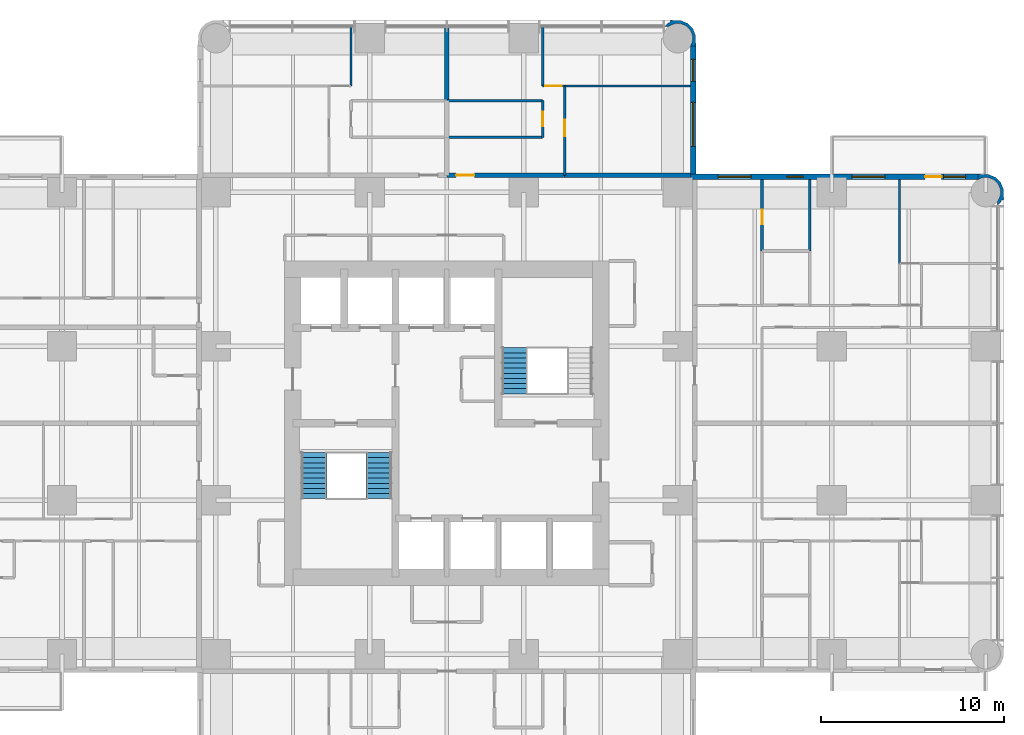
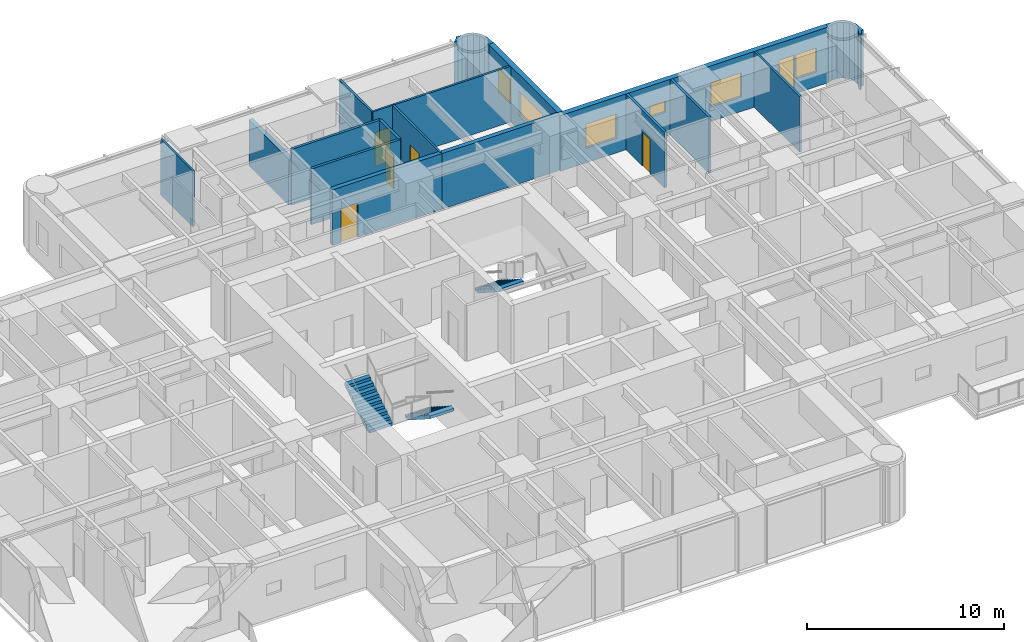
# One storey, part 12 of 15: 18 walls, 6 doors, 6 windows, 3 stair flights, 12 openings, 2 elements without a shape of their own.
"""IFC4 building model written with IfcOpenShell, lengths in metres."""

from ifc_helpers import new_model, si_unit, direction, frame, frame_2d, origin, place, context, subcontext, project, spatial, polyline, rectangle, outline, extrude, material, layer, layer_set, type_object, element, fill, aggregate, save


model = new_model("IFC4")

# Units and contexts
model_context = context("Model", 3, precision=1e-05, world=origin(), true_north=direction((0.0, 1.0)))
body_context = subcontext(model_context, "Body", "Model", "MODEL_VIEW")
ifc_project = project(units=[si_unit("LENGTHUNIT", "METRE"), si_unit("AREAUNIT", "SQUARE_METRE"), si_unit("VOLUMEUNIT", "CUBIC_METRE"), si_unit("PLANEANGLEUNIT", "RADIAN"), si_unit("MASSUNIT", "GRAM", prefix="KILO")], contexts=[model_context])

# Site, building, storey
site_placement = place(None, origin())
site = spatial("IfcSite", under=ifc_project, at=site_placement, CompositionType="ELEMENT")
building_placement = place(site_placement, origin())
building = spatial("IfcBuilding", under=site, at=building_placement, Name="Torre Alcanfor", CompositionType="ELEMENT")
storey_placement = place(building_placement, frame((0.0, 0.0, 119.699951171875)))
storey = spatial("IfcBuildingStorey", under=building, at=storey_placement, Name="L30", CompositionType="ELEMENT", Elevation=119.699951171875)

# Wall, opening, door
ifc_material_1 = material(Name="Concrete block masonry, hollow blocks NMX-C-404 9 MPa", Category="masonry")
ifc_layer_1 = layer(ifc_material_1, 0.25)
ifc_layer_set_1 = layer_set([ifc_layer_1], Name="Apartment entrance wall 250 EI 60")
wall_type_1 = type_object("IfcWallType", Name="Apartment entrance wall 250 EI 60", PredefinedType="PARTITIONING", material=ifc_layer_set_1)
wall_1_placement = place(storey_placement, frame((29.39990234375, 42.925048828125, 0.0), z_axis=(0.0, 0.0, 1.0), x_axis=(1.0, 0.0, 0.0)))
wall_1 = element("IfcWall", 1, at=wall_1_placement, inside=storey, type_object=wall_type_1, Name="Partition L30-CORR / L30-N2-LIVING", PredefinedType="PARTITIONING", context=body_context, shape_type="SweptSolid", body=[
    extrude(rectangle(XDim=6.42919921875, YDim=0.25, at=frame_2d((3.214599609375, 0.0))), origin(), (0.0, 0.0, 1.0), 3.449951171875),
])
opening_1_placement = place(wall_1_placement, frame((0.5, 0.0, 0.0)))
opening_1 = element("IfcOpeningElement", 2, at=opening_1_placement, cuts=wall_1, Name="Opening D-A1", PredefinedType="OPENING", context=body_context, shape_type="SweptSolid", body=[
    extrude(rectangle(XDim=1.0, YDim=2.10009765625, at=frame_2d((0.5, 1.050048828125))), frame((0.0, 0.135009765625, 0.0), z_axis=(0.0, -1.0, 0.0), x_axis=(1.0, 0.0, 0.0)), (0.0, 0.0, 1.0), 0.27001953125),
])
ifc_material_2 = material(Name="Galvanised steel sheet ASTM A653", Category="steel")
door_type_1 = type_object("IfcDoorType", Name="Apartment entrance door FD60 1000x2100", OperationType="SINGLE_SWING_LEFT", PredefinedType="DOOR", material=ifc_material_2)
door_1_placement = place(opening_1_placement, origin())
door_1 = element("IfcDoor", 3, at=door_1_placement, inside=storey, type_object=door_type_1, Name="Apartment entrance L30-N2", OperationType="SINGLE_SWING_LEFT", OverallHeight=2.10009765625, OverallWidth=1.0, PredefinedType="DOOR", context=body_context, shape_type="SweptSolid", body=[
    extrude(rectangle(XDim=1.0, YDim=2.10009765625, at=frame_2d((0.5, 1.050048828125))), frame((0.0, 0.02490234375, 0.0), z_axis=(0.0, -1.0, 0.0), x_axis=(1.0, 0.0, 0.0)), (0.0, 0.0, 1.0), 0.050048828125),
])
fill(opening_1, door_1)

# Walls
wall_2_placement = place(storey_placement, frame((35.8291015625, 42.925048828125, 0.0), z_axis=(0.0, 0.0, 1.0), x_axis=(1.0, 0.0, 0.0)))
element("IfcWall", 4, at=wall_2_placement, inside=storey, type_object=wall_type_1, Name="Partition L30-CORR / L30-N2-BED2", PredefinedType="PARTITIONING", context=body_context, shape_type="SweptSolid", body=[
    extrude(rectangle(XDim=6.870849609375, YDim=0.25, at=frame_2d((3.435546875, 0.0))), origin(), (0.0, 0.0, 1.0), 3.449951171875),
])
ifc_material_3 = material(Name="Gypsum board on steel studs", Category="steel")
ifc_layer_2 = layer(ifc_material_3, 0.1201171875)
ifc_layer_set_2 = layer_set([ifc_layer_2], Name="Apartment partition 120")
wall_type_2 = type_object("IfcWallType", Name="Apartment partition 120", PredefinedType="PARTITIONING", material=ifc_layer_set_2)
wall_3_placement = place(storey_placement, frame((24.1708984375, 47.800048828125, 0.0), z_axis=(0.0, 0.0, 1.0), x_axis=(0.0, 1.0, 0.0)))
element("IfcWall", 5, at=wall_3_placement, inside=storey, type_object=wall_type_2, Name="Partition L30-N1-LIVING / L30-N1-MASTER", PredefinedType="PARTITIONING", context=body_context, shape_type="SweptSolid", body=[
    extrude(rectangle(XDim=3.25, YDim=0.1201171875, at=frame_2d((1.625, 0.0))), origin(), (0.0, 0.0, 1.0), 3.449951171875),
])

# Wall, opening, door
wall_4_placement = place(storey_placement, frame((35.8291015625, 47.800048828125, 0.0), z_axis=(0.0, 0.0, 1.0), x_axis=(0.0, -1.0, 0.0)))
wall_4 = element("IfcWall", 6, at=wall_4_placement, inside=storey, type_object=wall_type_2, Name="Partition L30-N2-LIVING / L30-N2-BED2", PredefinedType="PARTITIONING", context=body_context, shape_type="SweptSolid", body=[
    extrude(rectangle(XDim=4.875, YDim=0.1201171875, at=frame_2d((2.4375, 0.0))), origin(), (0.0, 0.0, 1.0), 3.449951171875),
])
opening_2_placement = place(wall_4_placement, frame((1.85009765625, 0.0, 0.0)))
opening_2 = element("IfcOpeningElement", 7, at=opening_2_placement, cuts=wall_4, Name="Opening D-R1", PredefinedType="OPENING", context=body_context, shape_type="SweptSolid", body=[
    extrude(rectangle(XDim=0.89990234375, YDim=2.10009765625, at=frame_2d((0.449951171875, 1.050048828125))), frame((0.0, 0.070068359375, 0.0), z_axis=(0.0, -1.0, 0.0), x_axis=(1.0, 0.0, 0.0)), (0.0, 0.0, 1.0), 0.14013671875),
])
ifc_material_4 = material(Name="Timber", Category="wood")
door_type_2 = type_object("IfcDoorType", Name="Internal door 900x2100", OperationType="SINGLE_SWING_LEFT", PredefinedType="DOOR", material=ifc_material_4)
door_2_placement = place(opening_2_placement, origin())
door_2 = element("IfcDoor", 8, at=door_2_placement, inside=storey, type_object=door_type_2, Name="Door L30-N2 bed2", OperationType="SINGLE_SWING_LEFT", OverallHeight=2.10009765625, OverallWidth=0.89990234375, PredefinedType="DOOR", context=body_context, shape_type="SweptSolid", body=[
    extrude(rectangle(XDim=0.89990234375, YDim=2.10009765625, at=frame_2d((0.449951171875, 1.050048828125))), frame((0.0, 0.02490234375, 0.0), z_axis=(0.0, -1.0, 0.0), x_axis=(1.0, 0.0, 0.0)), (0.0, 0.0, 1.0), 0.050048828125),
])
fill(opening_2, door_2)

# Wall
wall_5_placement = place(storey_placement, frame((34.62890625, 51.050048828125, 0.0), z_axis=(0.0, 0.0, 1.0), x_axis=(0.0, -1.0, 0.0)))
element("IfcWall", 9, at=wall_5_placement, inside=storey, type_object=wall_type_2, Name="Partition L30-N2-LIVING / L30-N2-MASTER", PredefinedType="PARTITIONING", context=body_context, shape_type="SweptSolid", body=[
    extrude(rectangle(XDim=3.25, YDim=0.1201171875, at=frame_2d((1.625, 0.0))), origin(), (0.0, 0.0, 1.0), 3.449951171875),
])

# Wall, opening, door
wall_6_placement = place(storey_placement, frame((34.62890625, 47.800048828125, 0.0), z_axis=(0.0, 0.0, 1.0), x_axis=(1.0, 0.0, 0.0)))
wall_6 = element("IfcWall", 10, at=wall_6_placement, inside=storey, type_object=wall_type_2, Name="Partition L30-N2-LIVING / L30-N2-MASTER", PredefinedType="PARTITIONING", context=body_context, shape_type="SweptSolid", body=[
    extrude(rectangle(XDim=1.2001953125, YDim=0.1201171875, at=frame_2d((0.60009765625, 0.0))), origin(), (0.0, 0.0, 1.0), 3.449951171875),
])
opening_3_placement = place(wall_6_placement, frame((0.15087890625, 0.0, 0.0)))
opening_3 = element("IfcOpeningElement", 11, at=opening_3_placement, cuts=wall_6, Name="Opening D-R1", PredefinedType="OPENING", context=body_context, shape_type="SweptSolid", body=[
    extrude(rectangle(XDim=0.89990234375, YDim=2.10009765625, at=frame_2d((0.449951171875, 1.050048828125))), frame((0.0, 0.070068359375, 0.0), z_axis=(0.0, -1.0, 0.0), x_axis=(1.0, 0.0, 0.0)), (0.0, 0.0, 1.0), 0.14013671875),
])
door_3_placement = place(opening_3_placement, origin())
door_3 = element("IfcDoor", 12, at=door_3_placement, inside=storey, type_object=door_type_2, Name="Door L30-N2 master", OperationType="SINGLE_SWING_LEFT", OverallHeight=2.10009765625, OverallWidth=0.89990234375, PredefinedType="DOOR", context=body_context, shape_type="SweptSolid", body=[
    extrude(rectangle(XDim=0.89990234375, YDim=2.10009765625, at=frame_2d((0.449951171875, 1.050048828125))), frame((0.0, 0.02490234375, 0.0), z_axis=(0.0, -1.0, 0.0), x_axis=(1.0, 0.0, 0.0)), (0.0, 0.0, 1.0), 0.050048828125),
])
fill(opening_3, door_3)

# Walls
wall_7_placement = place(storey_placement, frame((35.8291015625, 47.800048828125, 0.0), z_axis=(0.0, 0.0, 1.0), x_axis=(1.0, 0.0, 0.0)))
element("IfcWall", 13, at=wall_7_placement, inside=storey, type_object=wall_type_2, Name="Partition L30-N2-BED2 / L30-N2-MASTER", PredefinedType="PARTITIONING", context=body_context, shape_type="SweptSolid", body=[
    extrude(rectangle(XDim=6.870849609375, YDim=0.1201171875, at=frame_2d((3.435546875, 0.0))), origin(), (0.0, 0.0, 1.0), 3.449951171875),
])
wall_8_placement = place(storey_placement, frame((54.10009765625, 38.114013671875, 0.0), z_axis=(0.0, 0.0, 1.0), x_axis=(0.0, 1.0, 0.0)))
element("IfcWall", 14, at=wall_8_placement, inside=storey, type_object=wall_type_2, Name="Partition L30-E1-BED3 / L30-E1-MASTER", PredefinedType="PARTITIONING", context=body_context, shape_type="SweptSolid", body=[
    extrude(rectangle(XDim=4.5859375, YDim=0.1201171875, at=frame_2d((2.29296875, 0.0))), origin(), (0.0, 0.0, 1.0), 3.449951171875),
])

# Wall, openings, door, windows
ifc_material_5 = material(Name="Limestone cladding", Category="masonry")
ifc_layer_3 = layer(ifc_material_5, 0.0400390625, Name="Facing")
ifc_material_6 = material(Name="Ventilated air cavity")
ifc_layer_4 = layer(ifc_material_6, 0.02001953125, ventilated=True, Name="Ventilated joint")
ifc_material_7 = material(Name="Mineral wool insulation", Category="insulation")
ifc_layer_5 = layer(ifc_material_7, 0.10009765625, Name="Insulation")
ifc_material_8 = material(Name="Concrete f'c 35 MPa", Category="concrete")
ifc_layer_6 = layer(ifc_material_8, 0.139892578125, Name="Backing")
ifc_layer_set_3 = layer_set([ifc_layer_3, ifc_layer_4, ifc_layer_5, ifc_layer_6], Name="External wall stone-clad 300")
wall_type_3 = type_object("IfcWallType", Name="External wall stone-clad 300", PredefinedType="SOLIDWALL", material=ifc_layer_set_3)
wall_9_placement = place(storey_placement, frame((58.39990234375, 42.85009765625, 0.0), z_axis=(0.0, 0.0, 1.0), x_axis=(-1.0, 0.0, 0.0)))
wall_9 = element("IfcWall", 15, at=wall_9_placement, inside=storey, type_object=wall_type_3, Name="External wall L30 9", PredefinedType="SOLIDWALL", context=body_context, shape_type="SweptSolid", body=[
    extrude(rectangle(XDim=15.699951171875, YDim=0.300048828125, at=frame_2d((7.85009765625, 0.0))), origin(), (0.0, 0.0, 1.0), 3.449951171875),
])
opening_4_placement = place(wall_9_placement, frame((12.39990234375, 0.0, 0.89990234375)))
opening_4 = element("IfcOpeningElement", 16, at=opening_4_placement, cuts=wall_9, Name="Opening W2", PredefinedType="OPENING", context=body_context, shape_type="SweptSolid", body=[
    extrude(rectangle(XDim=1.800048828125, YDim=1.5, at=frame_2d((0.89990234375, 0.75))), frame((0.0, 0.159912109375, 0.0), z_axis=(0.0, -1.0, 0.0), x_axis=(1.0, 0.0, 0.0)), (0.0, 0.0, 1.0), 0.320068359375),
])
opening_5_placement = place(wall_9_placement, frame((9.550048828125, 0.0, 1.5)))
opening_5 = element("IfcOpeningElement", 17, at=opening_5_placement, cuts=wall_9, Name="Opening W3", PredefinedType="OPENING", context=body_context, shape_type="SweptSolid", body=[
    extrude(rectangle(XDim=0.89990234375, YDim=0.699951171875, at=frame_2d((0.449951171875, 0.35009765625))), frame((0.0, 0.159912109375, 0.0), z_axis=(0.0, -1.0, 0.0), x_axis=(1.0, 0.0, 0.0)), (0.0, 0.0, 1.0), 0.320068359375),
])
opening_6_placement = place(wall_9_placement, frame((5.10009765625, 0.0, 0.89990234375)))
opening_6 = element("IfcOpeningElement", 18, at=opening_6_placement, cuts=wall_9, Name="Opening W2", PredefinedType="OPENING", context=body_context, shape_type="SweptSolid", body=[
    extrude(rectangle(XDim=1.800048828125, YDim=1.5, at=frame_2d((0.89990234375, 0.75))), frame((0.0, 0.159912109375, 0.0), z_axis=(0.0, -1.0, 0.0), x_axis=(1.0, 0.0, 0.0)), (0.0, 0.0, 1.0), 0.320068359375),
])
opening_7_placement = place(wall_9_placement, frame((2.0, 0.0, 0.0)))
opening_7 = element("IfcOpeningElement", 19, at=opening_7_placement, cuts=wall_9, Name="Opening D-B1", PredefinedType="OPENING", context=body_context, shape_type="SweptSolid", body=[
    extrude(rectangle(XDim=0.89990234375, YDim=2.39990234375, at=frame_2d((0.449951171875, 1.199951171875))), frame((0.0, 0.159912109375, 0.0), z_axis=(0.0, -1.0, 0.0), x_axis=(1.0, 0.0, 0.0)), (0.0, 0.0, 1.0), 0.320068359375),
])
opening_8_placement = place(wall_9_placement, frame((0.699951171875, 0.0, 0.89990234375)))
opening_8 = element("IfcOpeningElement", 20, at=opening_8_placement, cuts=wall_9, Name="Opening W4", PredefinedType="OPENING", context=body_context, shape_type="SweptSolid", body=[
    extrude(rectangle(XDim=1.199951171875, YDim=1.5, at=frame_2d((0.60009765625, 0.75))), frame((0.0, 0.159912109375, 0.0), z_axis=(0.0, -1.0, 0.0), x_axis=(1.0, 0.0, 0.0)), (0.0, 0.0, 1.0), 0.320068359375),
])
ifc_material_9 = material(Name="Aluminium and glass", Category="aluminium")
door_type_3 = type_object("IfcDoorType", Name="Balcony door glazed 900x2400", OperationType="SINGLE_SWING_LEFT", PredefinedType="DOOR", material=ifc_material_9)
door_4_placement = place(opening_7_placement, origin())
door_4 = element("IfcDoor", 21, at=door_4_placement, inside=storey, type_object=door_type_3, Name="Balcony door L30-E1", OperationType="SINGLE_SWING_RIGHT", OverallHeight=2.39990234375, OverallWidth=0.89990234375, PredefinedType="DOOR", context=body_context, shape_type="SweptSolid", body=[
    extrude(rectangle(XDim=0.89990234375, YDim=2.39990234375, at=frame_2d((0.449951171875, 1.199951171875))), frame((0.0, 0.02490234375, 0.0), z_axis=(0.0, -1.0, 0.0), x_axis=(1.0, 0.0, 0.0)), (0.0, 0.0, 1.0), 0.050048828125),
])
fill(opening_7, door_4)
ifc_material_10 = material(Name="Aluminium frame with clear double glazing", Category="aluminium")
window_type_1 = type_object("IfcWindowType", Name="Window bathroom 900x700", PartitioningType="SINGLE_PANEL", PredefinedType="WINDOW", material=ifc_material_10)
window_1_placement = place(opening_5_placement, origin())
window_1 = element("IfcWindow", 22, at=window_1_placement, inside=storey, type_object=window_type_1, Name="Window W3 L30-E1", OverallHeight=0.699951171875, OverallWidth=0.89990234375, PartitioningType="SINGLE_PANEL", PredefinedType="WINDOW", context=body_context, shape_type="SweptSolid", body=[
    extrude(rectangle(XDim=0.89990234375, YDim=0.699951171875, at=frame_2d((0.449951171875, 0.35009765625))), frame((0.0, 0.030029296875, 0.0), z_axis=(0.0, -1.0, 0.0), x_axis=(1.0, 0.0, 0.0)), (0.0, 0.0, 1.0), 0.06005859375),
])
fill(opening_5, window_1)
ifc_material_11 = material(Name="Aluminium frame with clear double glazing", Category="aluminium")
window_type_2 = type_object("IfcWindowType", Name="Window bedroom 1200x1500", PartitioningType="SINGLE_PANEL", PredefinedType="WINDOW", material=ifc_material_11)
window_2_placement = place(opening_8_placement, origin())
window_2 = element("IfcWindow", 23, at=window_2_placement, inside=storey, type_object=window_type_2, Name="Window W4 L30-E1", OverallHeight=1.5, OverallWidth=1.199951171875, PartitioningType="SINGLE_PANEL", PredefinedType="WINDOW", context=body_context, shape_type="SweptSolid", body=[
    extrude(rectangle(XDim=1.199951171875, YDim=1.5, at=frame_2d((0.60009765625, 0.75))), frame((0.0, 0.030029296875, 0.0), z_axis=(0.0, -1.0, 0.0), x_axis=(1.0, 0.0, 0.0)), (0.0, 0.0, 1.0), 0.06005859375),
])
fill(opening_8, window_2)
ifc_material_12 = material(Name="Aluminium frame with clear double glazing", Category="aluminium")
window_type_3 = type_object("IfcWindowType", Name="Window bedroom 1800x1500", PartitioningType="SINGLE_PANEL", PredefinedType="WINDOW", material=ifc_material_12)
window_3_placement = place(opening_4_placement, origin())
window_3 = element("IfcWindow", 24, at=window_3_placement, inside=storey, type_object=window_type_3, Name="Window W2 L30-E1", OverallHeight=1.5, OverallWidth=1.800048828125, PartitioningType="SINGLE_PANEL", PredefinedType="WINDOW", context=body_context, shape_type="SweptSolid", body=[
    extrude(rectangle(XDim=1.800048828125, YDim=1.5, at=frame_2d((0.89990234375, 0.75))), frame((0.0, 0.030029296875, 0.0), z_axis=(0.0, -1.0, 0.0), x_axis=(1.0, 0.0, 0.0)), (0.0, 0.0, 1.0), 0.06005859375),
])
fill(opening_4, window_3)
window_4_placement = place(opening_6_placement, origin())
window_4 = element("IfcWindow", 25, at=window_4_placement, inside=storey, type_object=window_type_3, Name="Window W2 L30-E1", OverallHeight=1.5, OverallWidth=1.800048828125, PartitioningType="SINGLE_PANEL", PredefinedType="WINDOW", context=body_context, shape_type="SweptSolid", body=[
    extrude(rectangle(XDim=1.800048828125, YDim=1.5, at=frame_2d((0.89990234375, 0.75))), frame((0.0, 0.030029296875, 0.0), z_axis=(0.0, -1.0, 0.0), x_axis=(1.0, 0.0, 0.0)), (0.0, 0.0, 1.0), 0.06005859375),
])
fill(opening_6, window_4)

# Wall, openings, windows
wall_10_placement = place(storey_placement, frame((42.85009765625, 43.0, 0.0), z_axis=(0.0, 0.0, 1.0), x_axis=(0.0, 1.0, 0.0)))
wall_10 = element("IfcWall", 26, at=wall_10_placement, inside=storey, type_object=wall_type_3, Name="External wall L30 10", PredefinedType="SOLIDWALL", context=body_context, shape_type="SweptSolid", body=[
    extrude(rectangle(XDim=7.0, YDim=0.300048828125, at=frame_2d((3.5, 0.0))), origin(), (0.0, 0.0, 1.0), 3.449951171875),
])
opening_9_placement = place(wall_10_placement, frame((1.5, 0.0, 0.89990234375)))
opening_9 = element("IfcOpeningElement", 27, at=opening_9_placement, cuts=wall_10, Name="Opening W1", PredefinedType="OPENING", context=body_context, shape_type="SweptSolid", body=[
    extrude(rectangle(XDim=2.39990234375, YDim=1.5, at=frame_2d((1.199951171875, 0.75))), frame((0.0, 0.159912109375, 0.0), z_axis=(0.0, -1.0, 0.0), x_axis=(1.0, 0.0, 0.0)), (0.0, 0.0, 1.0), 0.320068359375),
])
opening_10_placement = place(wall_10_placement, frame((5.050048828125, 0.0, 0.89990234375)))
opening_10 = element("IfcOpeningElement", 28, at=opening_10_placement, cuts=wall_10, Name="Opening W4", PredefinedType="OPENING", context=body_context, shape_type="SweptSolid", body=[
    extrude(rectangle(XDim=1.199951171875, YDim=1.5, at=frame_2d((0.60009765625, 0.75))), frame((0.0, 0.159912109375, 0.0), z_axis=(0.0, -1.0, 0.0), x_axis=(1.0, 0.0, 0.0)), (0.0, 0.0, 1.0), 0.320068359375),
])
window_5_placement = place(opening_10_placement, origin())
window_5 = element("IfcWindow", 29, at=window_5_placement, inside=storey, type_object=window_type_2, Name="Window W4 L30-N2", OverallHeight=1.5, OverallWidth=1.199951171875, PartitioningType="SINGLE_PANEL", PredefinedType="WINDOW", context=body_context, shape_type="SweptSolid", body=[
    extrude(rectangle(XDim=1.199951171875, YDim=1.5, at=frame_2d((0.60009765625, 0.75))), frame((0.0, 0.030029296875, 0.0), z_axis=(0.0, -1.0, 0.0), x_axis=(1.0, 0.0, 0.0)), (0.0, 0.0, 1.0), 0.06005859375),
])
fill(opening_10, window_5)
ifc_material_13 = material(Name="Aluminium frame with clear double glazing", Category="aluminium")
window_type_4 = type_object("IfcWindowType", Name="Window bedroom 2400x1500", PartitioningType="SINGLE_PANEL", PredefinedType="WINDOW", material=ifc_material_13)
window_6_placement = place(opening_9_placement, origin())
window_6 = element("IfcWindow", 30, at=window_6_placement, inside=storey, type_object=window_type_4, Name="Window W1 L30-N2", OverallHeight=1.5, OverallWidth=2.39990234375, PartitioningType="SINGLE_PANEL", PredefinedType="WINDOW", context=body_context, shape_type="SweptSolid", body=[
    extrude(rectangle(XDim=2.39990234375, YDim=1.5, at=frame_2d((1.199951171875, 0.75))), frame((0.0, 0.030029296875, 0.0), z_axis=(0.0, -1.0, 0.0), x_axis=(1.0, 0.0, 0.0)), (0.0, 0.0, 1.0), 0.06005859375),
])
fill(opening_9, window_6)

# Walls
ifc_material_14 = material(Name="Concrete block masonry, hollow blocks NMX-C-404 9 MPa", Category="masonry")
ifc_layer_7 = layer(ifc_material_14, 0.25)
ifc_layer_set_4 = layer_set([ifc_layer_7], Name="Party wall 250 EI 60")
wall_type_4 = type_object("IfcWallType", Name="Party wall 250 EI 60", PredefinedType="PARTITIONING", material=ifc_layer_set_4)
wall_11_placement = place(storey_placement, frame((29.39990234375, 51.050048828125, 0.0), z_axis=(0.0, 0.0, 1.0), x_axis=(0.0, -1.0, 0.0)))
element("IfcWall", 31, at=wall_11_placement, inside=storey, type_object=wall_type_4, Name="Partition L30-N1-LIVING / L30-N2-LIVING", PredefinedType="PARTITIONING", context=body_context, shape_type="SweptSolid", body=[
    extrude(rectangle(XDim=4.050048828125, YDim=0.25, at=frame_2d((2.02490234375, 0.0))), origin(), (0.0, 0.0, 1.0), 2.84814453125),
])
ifc_layer_8 = layer(ifc_material_5, 0.0400390625, Name="Facing")
ifc_layer_9 = layer(ifc_material_6, 0.02001953125, ventilated=True, Name="Ventilated joint")
ifc_layer_10 = layer(ifc_material_7, 0.10009765625, Name="Insulation")
ifc_layer_11 = layer(ifc_material_8, 0.139892578125, Name="Backing")
ifc_layer_set_5 = layer_set([ifc_layer_8, ifc_layer_9, ifc_layer_10, ifc_layer_11], Name="Rounded corner pier stone-clad 300")
wall_type_5 = type_object("IfcWallType", Name="Rounded corner pier stone-clad 300", PredefinedType="SOLIDWALL", material=ifc_layer_set_5)
wall_12_placement = place(storey_placement, frame((59.395317512, 41.351928198, 0.0), z_axis=(0.0, 0.0, 1.0), x_axis=(0.93923434088, 0.343276641956, 0.0)))
element("IfcWall", 32, at=wall_12_placement, inside=storey, type_object=wall_type_5, Name="Corner pier L30 18", PredefinedType="SOLIDWALL", context=body_context, shape_type="SweptSolid", body=[
    extrude(outline(polyline([(0.5319791374717469, 0.3931546875748424), (0.6305370795958255, 0.662817672163305), (0.614285462759775, 1.044364627998893), (0.4533652442516045, 1.3906676424071163), (0.17222000156622597, 1.6491237258576117), (-0.09744298302223653, 1.7476816679816904), (-0.36918355555989557, 1.8896284089825286), (-0.509101456401082, 1.6213052972671853), (-0.49052773042177455, 1.6145168675800676), (-0.47941981662998623, 1.6086375342973744), (-0.2113919059229058, 1.6201101578142136), (0.08785145707704622, 1.5107410128550955), (0.32257352025202113, 1.2952455132706726), (0.4567838912150332, 1.0060128786275908), (0.47036434537540095, 0.687566849311498), (0.36107900819019806, 0.38855279157054984), (0.14535420334677107, 0.1539145361694899), (0.10800994465551556, 0.13637103018492347), (0.030906792653685306, -0.07458980809856762), (0.2410056377422186, 0.023039004395991533), (0.3334055822831027, 0.12365495968313633), (0.46532832919806827, 0.0941544704520565), (0.5319791374717469, 0.3931546875748424)])), origin(), (0.0, 0.0, 1.0), 3.449951171875),
])
wall_13_placement = place(storey_placement, frame((42.817059488, 50.073176205, 0.0), z_axis=(0.0, 0.0, 1.0), x_axis=(0.343276641956, 0.93923434088, 0.0)))
element("IfcWall", 33, at=wall_13_placement, inside=storey, type_object=wall_type_5, Name="Corner pier L30 19", PredefinedType="SOLIDWALL", context=body_context, shape_type="SweptSolid", body=[
    extrude(outline(polyline([(0.2655808672444785, -0.0550807599050476), (0.5354731570919448, 0.04356098999294611), (0.8166183997773234, 0.30201707344344164), (0.9775386182854939, 0.6483200878516648), (0.9937902351215443, 1.0298670436872528), (0.8952322929974657, 1.2995300282757154), (0.8283521794647835, 1.5984464376245864), (0.6966587378088214, 1.5690297561674216), (0.6042587932679374, 1.6696457114545662), (0.39415994817940425, 1.7672745239491254), (0.47126310018123446, 1.5563136856656343), (0.50860735887249, 1.538770179681068), (0.7241028584569131, 1.304048116506093), (0.833388195642116, 1.0050340587651447), (0.8200370467407522, 0.686671837222967), (0.68582667577774, 0.3974392025798854), (0.4511046126027651, 0.18194370299546214), (0.15186124960281305, 0.07257455803634424), (-0.11616666110426738, 0.08404718155318341), (-0.12750388015505948, 0.07808404049657515), (-0.14607760613436685, 0.07129561080945748), (-0.0059304000341767055, -0.19694369313197083), (0.2655808672444785, -0.0550807599050476)])), origin(), (0.0, 0.0, 1.0), 3.449951171875),
])
ifc_material_15 = material(Name="Cement board on steel studs", Category="steel")
ifc_layer_12 = layer(ifc_material_15, 0.14990234375)
ifc_layer_set_6 = layer_set([ifc_layer_12], Name="Wet area partition 150")
wall_type_6 = type_object("IfcWallType", Name="Wet area partition 150", PredefinedType="PARTITIONING", material=ifc_layer_set_6)
wall_14_placement = place(storey_placement, frame((29.39990234375, 47.0, 0.0), z_axis=(0.0, 0.0, 1.0), x_axis=(1.0, 0.0, 0.0)))
element("IfcWall", 34, at=wall_14_placement, inside=storey, type_object=wall_type_6, Name="Partition L30-N2-BATH / L30-N2-LIVING", PredefinedType="PARTITIONING", context=body_context, shape_type="SweptSolid", body=[
    extrude(rectangle(XDim=5.22900390625, YDim=0.14990234375, at=frame_2d((2.614501953125, 0.0))), origin(), (0.0, 0.0, 1.0), 3.449951171875),
])

# Wall, opening, door
wall_15_placement = place(storey_placement, frame((34.62890625, 47.0, 0.0), z_axis=(0.0, 0.0, 1.0), x_axis=(0.0, -1.0, 0.0)))
wall_15 = element("IfcWall", 35, at=wall_15_placement, inside=storey, type_object=wall_type_6, Name="Partition L30-N2-BATH / L30-N2-LIVING", PredefinedType="PARTITIONING", context=body_context, shape_type="SweptSolid", body=[
    extrude(rectangle(XDim=2.0, YDim=0.14990234375, at=frame_2d((1.0, 0.0))), origin(), (0.0, 0.0, 1.0), 3.449951171875),
])
opening_11_placement = place(wall_15_placement, frame((0.60009765625, 0.0, 0.0)))
opening_11 = element("IfcOpeningElement", 36, at=opening_11_placement, cuts=wall_15, Name="Opening D-R2", PredefinedType="OPENING", context=body_context, shape_type="SweptSolid", body=[
    extrude(rectangle(XDim=0.800048828125, YDim=2.10009765625, at=frame_2d((0.39990234375, 1.050048828125))), frame((0.0, 0.0849609375, 0.0), z_axis=(0.0, -1.0, 0.0), x_axis=(1.0, 0.0, 0.0)), (0.0, 0.0, 1.0), 0.169921875),
])
ifc_material_16 = material(Name="Timber", Category="wood")
door_type_4 = type_object("IfcDoorType", Name="Bathroom door 800x2100", OperationType="SINGLE_SWING_LEFT", PredefinedType="DOOR", material=ifc_material_16)
door_5_placement = place(opening_11_placement, frame((0.800048828125, 0.0, 0.0), z_axis=(0.0, 0.0, 1.0), x_axis=(-1.0, 0.0, 0.0)))
door_5 = element("IfcDoor", 37, at=door_5_placement, inside=storey, type_object=door_type_4, Name="Door L30-N2 bath", OperationType="SINGLE_SWING_RIGHT", OverallHeight=2.10009765625, OverallWidth=0.800048828125, PredefinedType="DOOR", context=body_context, shape_type="SweptSolid", body=[
    extrude(rectangle(XDim=0.800048828125, YDim=2.10009765625, at=frame_2d((0.400146484375, 1.050048828125))), frame((0.0, 0.025146484375, 0.0), z_axis=(0.0, -1.0, 0.0), x_axis=(1.0, 0.0, 0.0)), (0.0, 0.0, 1.0), 0.050048828125),
])
fill(opening_11, door_5)

# Wall
wall_16_placement = place(storey_placement, frame((34.62890625, 45.0, 0.0), z_axis=(0.0, 0.0, 1.0), x_axis=(-1.0, 0.0, 0.0)))
element("IfcWall", 38, at=wall_16_placement, inside=storey, type_object=wall_type_6, Name="Partition L30-N2-BATH / L30-N2-LIVING", PredefinedType="PARTITIONING", context=body_context, shape_type="SweptSolid", body=[
    extrude(rectangle(XDim=5.22900390625, YDim=0.14990234375, at=frame_2d((2.614501953125, 0.0))), origin(), (0.0, 0.0, 1.0), 3.449951171875),
])

# Wall, opening, door
wall_17_placement = place(storey_placement, frame((46.60009765625, 38.800048828125, 0.0), z_axis=(0.0, 0.0, 1.0), x_axis=(0.0, 1.0, 0.0)))
wall_17 = element("IfcWall", 39, at=wall_17_placement, inside=storey, type_object=wall_type_6, Name="Partition L30-E1-SERV / L30-E1-SBATH", PredefinedType="PARTITIONING", context=body_context, shape_type="SweptSolid", body=[
    extrude(rectangle(XDim=3.89990234375, YDim=0.14990234375, at=frame_2d((1.949951171875, 0.0))), origin(), (0.0, 0.0, 1.0), 3.449951171875),
])
opening_12_placement = place(wall_17_placement, frame((1.449951171875, 0.0, 0.0)))
opening_12 = element("IfcOpeningElement", 40, at=opening_12_placement, cuts=wall_17, Name="Opening D-R2", PredefinedType="OPENING", context=body_context, shape_type="SweptSolid", body=[
    extrude(rectangle(XDim=0.800048828125, YDim=2.10009765625, at=frame_2d((0.39990234375, 1.050048828125))), frame((0.0, 0.0849609375, 0.0), z_axis=(0.0, -1.0, 0.0), x_axis=(1.0, 0.0, 0.0)), (0.0, 0.0, 1.0), 0.169921875),
])
door_6_placement = place(opening_12_placement, frame((0.800048828125, 0.0, 0.0), z_axis=(0.0, 0.0, 1.0), x_axis=(-1.0, 0.0, 0.0)))
door_6 = element("IfcDoor", 41, at=door_6_placement, inside=storey, type_object=door_type_4, Name="Door L30-E1 sbath", OperationType="SINGLE_SWING_RIGHT", OverallHeight=2.10009765625, OverallWidth=0.800048828125, PredefinedType="DOOR", context=body_context, shape_type="SweptSolid", body=[
    extrude(rectangle(XDim=0.800048828125, YDim=2.10009765625, at=frame_2d((0.400146484375, 1.050048828125))), frame((0.0, 0.025146484375, 0.0), z_axis=(0.0, -1.0, 0.0), x_axis=(1.0, 0.0, 0.0)), (0.0, 0.0, 1.0), 0.050048828125),
])
fill(opening_12, door_6)

# Wall
wall_18_placement = place(storey_placement, frame((49.199951171875, 38.800048828125, 0.0), z_axis=(0.0, 0.0, 1.0), x_axis=(0.0, 1.0, 0.0)))
element("IfcWall", 42, at=wall_18_placement, inside=storey, type_object=wall_type_6, Name="Partition L30-E1-SBATH / L30-E1-BED3", PredefinedType="PARTITIONING", context=body_context, shape_type="SweptSolid", body=[
    extrude(rectangle(XDim=3.89990234375, YDim=0.14990234375, at=frame_2d((1.949951171875, 0.0))), origin(), (0.0, 0.0, 1.0), 3.449951171875),
])

# Stair, stair flights
ifc_material_17 = material(Name="Concrete f'c 35 MPa", Category="concrete")
stair_type_1 = type_object("IfcStairType", Name="Exit stair S1 1400 wide", PredefinedType="HALF_TURN_STAIR", material=ifc_material_17)
stair_1_placement = place(storey_placement, origin())
stair_1 = element("IfcStair", 43, at=stair_1_placement, inside=storey, type_object=stair_type_1, Name="Stair S1 L30 to L31", PredefinedType="HALF_TURN_STAIR")
ifc_material_18 = material(Name="Concrete f'c 35 MPa", Category="concrete")
stair_flight_type = type_object("IfcStairFlightType", Name="Stair flight 1400", PredefinedType="STRAIGHT", material=ifc_material_18)
stair_flight_1_placement = place(storey_placement, frame((25.699951171875, 27.800048828125, 0.0), z_axis=(0.0, 0.0, 1.0), x_axis=(0.0, -1.0, 0.0)))
stair_flight_1 = element("IfcStairFlight", 44, at=stair_flight_1_placement, type_object=stair_flight_type, Name="S1 flight 1", NumberOfRisers=10, NumberOfTreads=9, PredefinedType="STRAIGHT", RiserHeight=0.18, TreadLength=0.28, context=body_context, shape_type="SweptSolid", body=[
    extrude(outline(polyline([(0.0, 0.0), (0.0, 0.179931640625), (0.280029296875, 0.179931640625), (0.280029296875, 0.360107421875), (0.56005859375, 0.360107421875), (0.56005859375, 0.5400390625), (0.840087890625, 0.5400390625), (0.840087890625, 0.719970703125), (1.1201171875, 0.719970703125), (1.1201171875, 0.89990234375), (1.39990234375, 0.89990234375), (1.39990234375, 1.080078125), (1.679931640625, 1.080078125), (1.679931640625, 1.260009765625), (1.9599609375, 1.260009765625), (1.9599609375, 1.43994140625), (2.239990234375, 1.43994140625), (2.239990234375, 1.6201171875), (2.52001953125, 1.6201171875), (2.52001953125, 1.800048828125), (2.52001953125, 1.44189453125), (0.277099609375, 0.0), (0.0, 0.0)])), frame((0.0, 0.699951171875, 0.0), z_axis=(0.0, -1.0, 0.0), x_axis=(1.0, 0.0, 0.0)), (0.0, 0.0, 1.0), 1.39990234375),
])
stair_flight_2_placement = place(storey_placement, frame((22.14990234375, 25.280029296875, 1.800048828125), z_axis=(0.0, 0.0, 1.0), x_axis=(0.0, 1.0, 0.0)))
stair_flight_2 = element("IfcStairFlight", 45, at=stair_flight_2_placement, type_object=stair_flight_type, Name="S1 flight 2", NumberOfRisers=10, NumberOfTreads=9, PredefinedType="STRAIGHT", RiserHeight=0.18, TreadLength=0.28, context=body_context, shape_type="SweptSolid", body=[
    extrude(outline(polyline([(0.0, 0.0), (0.0, 0.179931640625), (0.280029296875, 0.179931640625), (0.280029296875, 0.360107421875), (0.56005859375, 0.360107421875), (0.56005859375, 0.5400390625), (0.840087890625, 0.5400390625), (0.840087890625, 0.719970703125), (1.1201171875, 0.719970703125), (1.1201171875, 0.89990234375), (1.39990234375, 0.89990234375), (1.39990234375, 1.080078125), (1.679931640625, 1.080078125), (1.679931640625, 1.260009765625), (1.9599609375, 1.260009765625), (1.9599609375, 1.43994140625), (2.239990234375, 1.43994140625), (2.239990234375, 1.6201171875), (2.52001953125, 1.6201171875), (2.52001953125, 1.800048828125), (2.52001953125, 1.44189453125), (0.277099609375, 0.0), (0.0, 0.0)])), frame((0.0, 0.699951171875, 0.0), z_axis=(0.0, -1.0, 0.0), x_axis=(1.0, 0.0, 0.0)), (0.0, 0.0, 1.0), 1.39990234375),
])
aggregate(stair_1, [stair_flight_1, stair_flight_2])

# Stair, stair flight
ifc_material_19 = material(Name="Concrete f'c 35 MPa", Category="concrete")
stair_type_2 = type_object("IfcStairType", Name="Exit stair S2 1400 wide", PredefinedType="HALF_TURN_STAIR", material=ifc_material_19)
stair_2_placement = place(storey_placement, origin())
stair_2 = element("IfcStair", 46, at=stair_2_placement, inside=storey, type_object=stair_type_2, Name="Stair S2 L30 to L31", PredefinedType="HALF_TURN_STAIR")
stair_flight_3_placement = place(storey_placement, frame((33.10009765625, 33.52001953125, 1.800048828125), z_axis=(0.0, 0.0, 1.0), x_axis=(0.0, -1.0, 0.0)))
stair_flight_3 = element("IfcStairFlight", 47, at=stair_flight_3_placement, type_object=stair_flight_type, Name="S2 flight 2", NumberOfRisers=10, NumberOfTreads=9, PredefinedType="STRAIGHT", RiserHeight=0.18, TreadLength=0.28, context=body_context, shape_type="SweptSolid", body=[
    extrude(outline(polyline([(0.0, 0.0), (0.0, 0.179931640625), (0.280029296875, 0.179931640625), (0.280029296875, 0.360107421875), (0.56005859375, 0.360107421875), (0.56005859375, 0.5400390625), (0.840087890625, 0.5400390625), (0.840087890625, 0.719970703125), (1.1201171875, 0.719970703125), (1.1201171875, 0.89990234375), (1.39990234375, 0.89990234375), (1.39990234375, 1.080078125), (1.679931640625, 1.080078125), (1.679931640625, 1.260009765625), (1.9599609375, 1.260009765625), (1.9599609375, 1.43994140625), (2.239990234375, 1.43994140625), (2.239990234375, 1.6201171875), (2.52001953125, 1.6201171875), (2.52001953125, 1.800048828125), (2.52001953125, 1.44189453125), (0.277099609375, 0.0), (0.0, 0.0)])), frame((0.0, 0.699951171875, 0.0), z_axis=(0.0, -1.0, 0.0), x_axis=(1.0, 0.0, 0.0)), (0.0, 0.0, 1.0), 1.39990234375),
])
aggregate(stair_2, [stair_flight_3])

save(model, "model.ifc")
